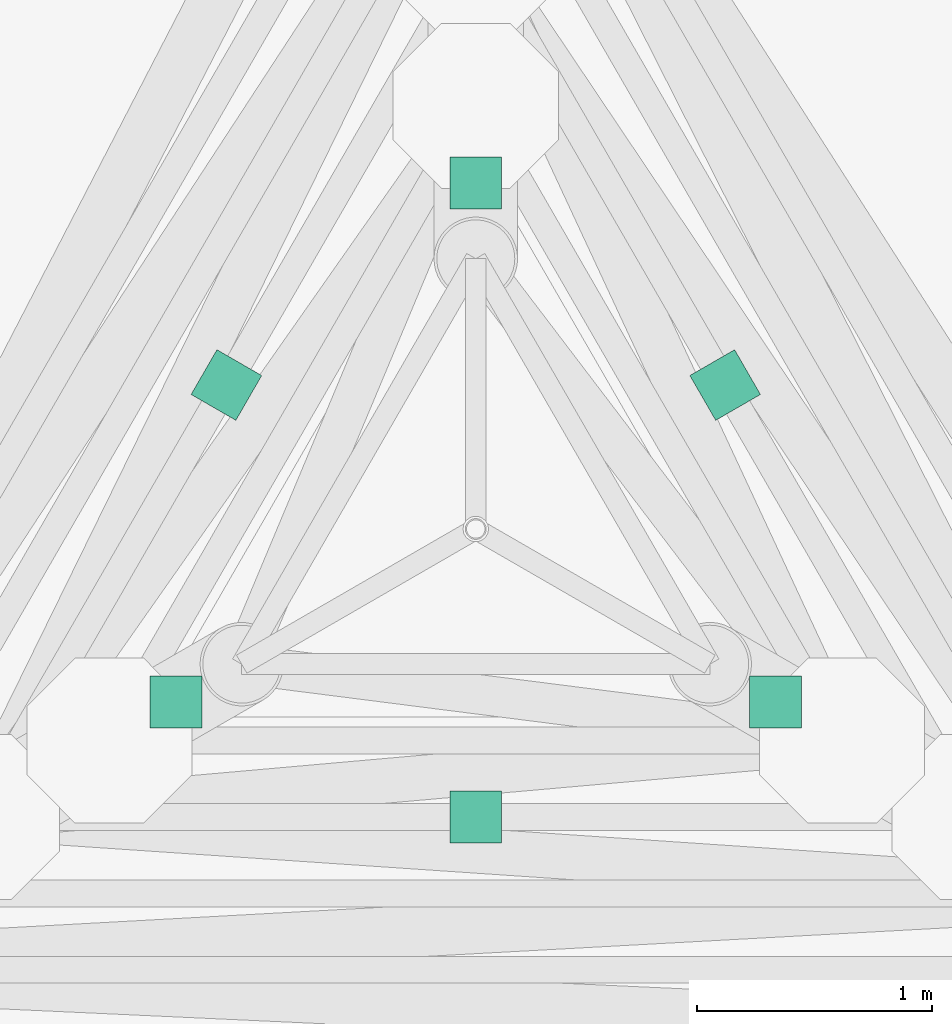
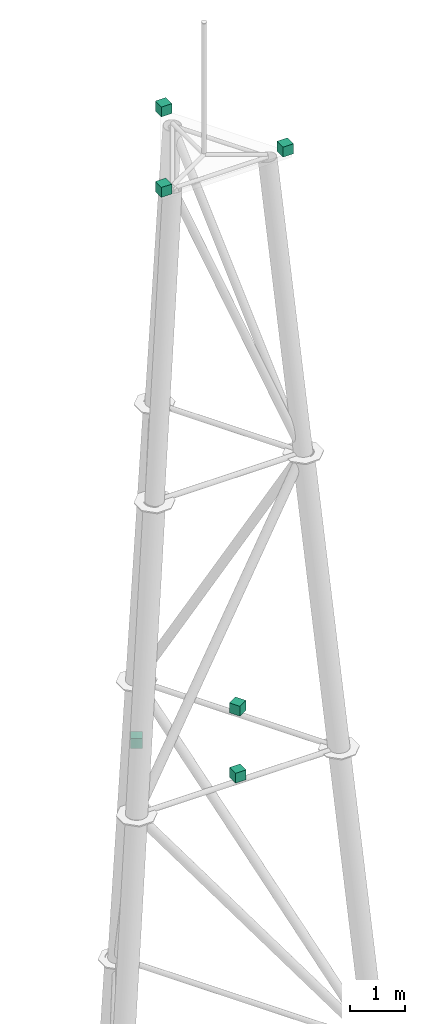
# One storey, part 7 of 7: 6 light fixtures.
"""IFC4 building model written with IfcOpenShell, lengths in metres."""

from ifc_helpers import new_model, si_unit, direction, frame, origin, origin_2d, place, context, subcontext, project, spatial, rectangle, extrude, element, save


model = new_model("IFC4")

# Units and contexts
model_context = context("Model", 3, precision=1e-05, world=origin(), true_north=direction((0.0, 1.0)))
body_context = subcontext(model_context, "Body", "Model", "MODEL_VIEW")
ifc_project = project(units=[si_unit("LENGTHUNIT", "METRE"), si_unit("AREAUNIT", "SQUARE_METRE"), si_unit("VOLUMEUNIT", "CUBIC_METRE"), si_unit("PLANEANGLEUNIT", "RADIAN"), si_unit("MASSUNIT", "GRAM", prefix="KILO")], contexts=[model_context])

# Site, building, storey
site_placement = place(None, origin())
site = spatial("IfcSite", under=ifc_project, at=site_placement, CompositionType="ELEMENT")
building_placement = place(site_placement, origin())
building = spatial("IfcBuilding", under=site, at=building_placement, Name="Trine Commons Tower", CompositionType="ELEMENT")
storey_placement = place(building_placement, frame((0.0, 0.0, 314.10009765625)))
storey = spatial("IfcBuildingStorey", under=building, at=storey_placement, Name="ROOF MAST BASE", CompositionType="ELEMENT", Elevation=314.10009765625)

# Light fixtures
for number, where, z_axis, x_axis, name in (
    (1, (80.0, 63.971923828125, 34.60009765625), (0.0, 0.0, 1.0), (1.0, 0.0, 0.0), "MAST aviation light 1"),
    (2, (78.72509765625, 61.763916015625, 34.60009765625), (0.0, 0.0, 1.0), (1.0, 0.0, 0.0), "MAST aviation light 2"),
    (3, (81.27490234375, 61.763916015625, 34.60009765625), (0.0, 0.0, 1.0), (1.0, 0.0, 0.0), "MAST aviation light 3"),
    (4, (78.939208984375, 63.112548828125, 21.45703125), (0.0, 0.0, 1.0), (-0.5, -0.866025403784, 0.0), "MAST aviation light 4"),
    (5, (80.0, 61.27490234375, 21.45703125), (0.0, 0.0, 1.0), (1.0, 0.0, 0.0), "MAST aviation light 5"),
    (6, (81.060791015625, 63.112548828125, 21.45703125), (0.0, 0.0, 1.0), (-0.5, 0.866025403784, 0.0), "MAST aviation light 6"),
):
    element("IfcLightFixture", number, at=place(storey_placement, frame(where, z_axis=z_axis, x_axis=x_axis)), inside=storey, Name=name, PredefinedType="NOTDEFINED", context=body_context, shape_type="SweptSolid", body=[
        extrude(rectangle(XDim=0.219970703125, YDim=0.219970703125, at=origin_2d()), origin(), (0.0, 0.0, 1.0), 0.219970703125),
    ])

save(model, "model.ifc")
